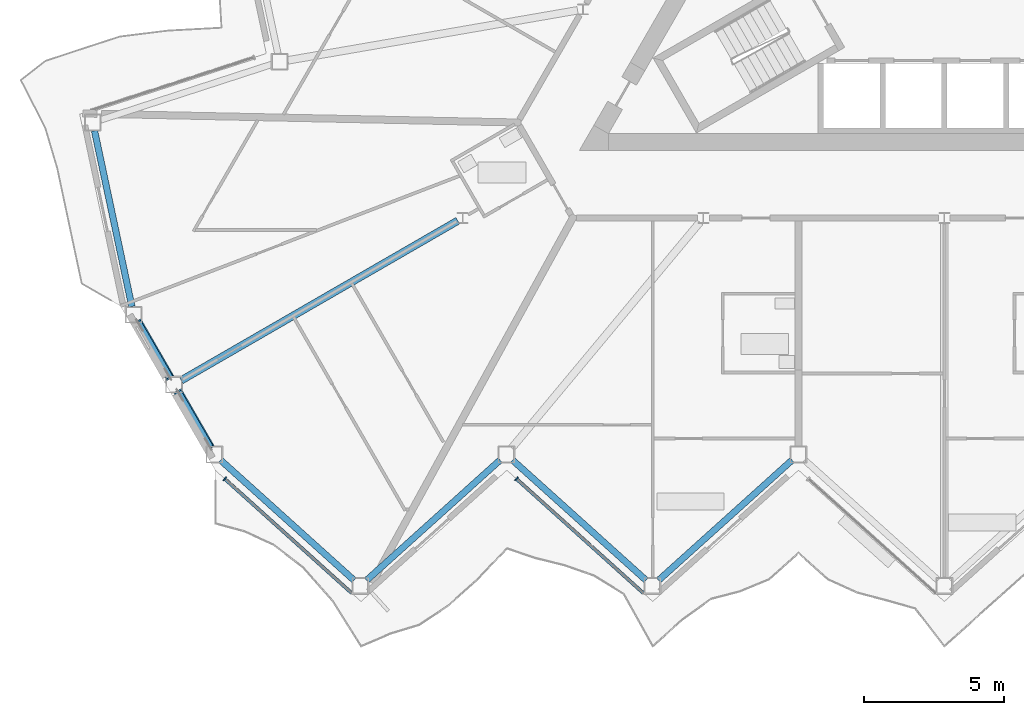
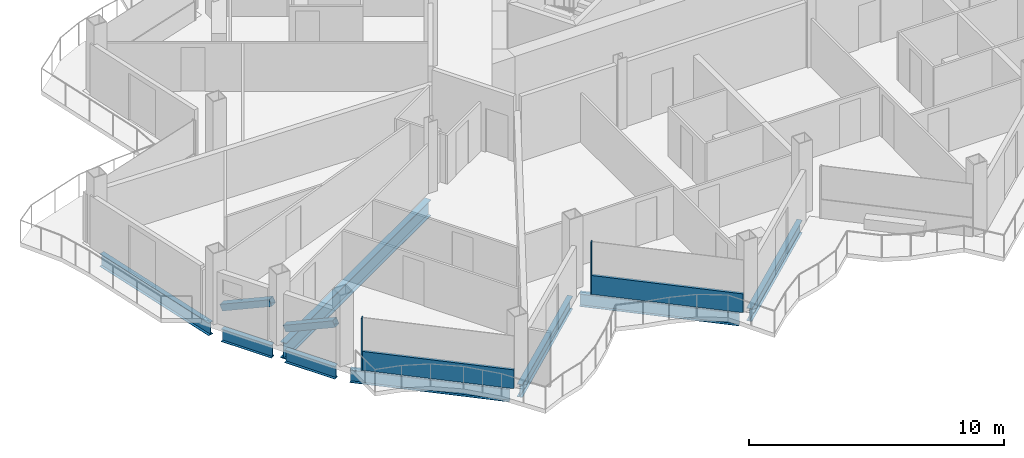
# One storey, part 4 of 27: 8 beams, 6 members, 2 elements without a shape of their own.
"""IFC4 building model written with IfcOpenShell, lengths in metres."""

import ifcopenshell
import ifcopenshell.guid

model = None  # the IFC model being written
_history = None  # IfcOwnerHistory: only IFC2X3 demands one
_inside = {}  # id of a spatial element -> (the spatial element, [elements in it])
_under = {}  # id of a project, library or spatial element -> (it, [spatial elements below it])
_declared = {}  # id of a project -> (the project, [libraries it declares])
_typed = {}  # id of a type object -> (the type object, [elements of that type])
_made_of = {}  # id of a material, layer set ... -> (it, [elements and type objects made of it])


def new_model(schema):
    """Start an empty IFC model of exactly this schema.

    Asked for "IFC4X3", IfcOpenShell would pick the latest addendum, in which some entities
    have other attributes; the version numbers below select the first issue.
    IFC2X3 requires an IfcOwnerHistory on every rooted entity: one is made here for all.
    """
    global model, _history
    if schema == "IFC4X3":
        model = ifcopenshell.file(schema_version=(4, 3, 0, 0))
    else:
        model = ifcopenshell.file(schema=schema)
    _inside.clear()
    _under.clear()
    _declared.clear()
    _typed.clear()
    _made_of.clear()
    _history = None
    if model.schema == "IFC2X3":
        org = make("IfcOrganization", Name="unknown")
        user = make(
            "IfcPersonAndOrganization",
            ThePerson=make("IfcPerson", FamilyName="unknown"),
            TheOrganization=org,
        )
        app = make(
            "IfcApplication",
            ApplicationDeveloper=org,
            Version="unknown",
            ApplicationFullName="unknown",
            ApplicationIdentifier="unknown",
        )
        _history = make(
            "IfcOwnerHistory",
            OwningUser=user,
            OwningApplication=app,
            ChangeAction="ADDED",
            CreationDate=0,
        )
    return model


def make(cls, **values):
    """One entity of the class cls with the attributes given. An attribute that is None is left unset."""
    return model.create_entity(
        cls, **{name: value for name, value in values.items() if value is not None}
    )


def rooted(cls, **values):
    """An entity with a GlobalId (a new one), such as an element, a storey or a relation."""
    return make(cls, GlobalId=ifcopenshell.guid.new(), OwnerHistory=_history, **values)


def si_unit(unit_type, name, prefix=None):
    """IfcSIUnit, for example si_unit("LENGTHUNIT", "METRE", prefix="MILLI")."""
    return make("IfcSIUnit", UnitType=unit_type, Prefix=prefix, Name=name)


def assignment(units):
    """IfcUnitAssignment: the units of a project."""
    return None if units is None else make("IfcUnitAssignment", Units=units)


def point(xyz):
    """IfcCartesianPoint."""
    return None if xyz is None else make("IfcCartesianPoint", Coordinates=xyz)


def direction(xyz):
    """IfcDirection."""
    return None if xyz is None else make("IfcDirection", DirectionRatios=xyz)


def frame(location, z_axis=None, x_axis=None):
    """IfcAxis2Placement3D, a coordinate frame: its origin and axes. An axis left out is left unset."""
    return make(
        "IfcAxis2Placement3D",
        Location=point(location),
        Axis=direction(z_axis),
        RefDirection=direction(x_axis),
    )


def frame_2d(location, x_axis=None):
    """IfcAxis2Placement2D, a coordinate frame in the plane: its origin and x axis."""
    return make(
        "IfcAxis2Placement2D", Location=point(location), RefDirection=direction(x_axis)
    )


def origin():
    """The frame at (0, 0, 0) with its axes left unset."""
    return frame((0.0, 0.0, 0.0))


def origin_2d():
    """The frame at (0, 0) in the plane with its x axis left unset."""
    return frame_2d((0.0, 0.0))


def place(relative_to, where):
    """IfcLocalPlacement: puts the frame where relative to a parent placement (None: the world)."""
    return make(
        "IfcLocalPlacement", PlacementRelTo=relative_to, RelativePlacement=where
    )


def context(
    kind, dimensions, precision=None, world=None, true_north=None, identifier=None
):
    """IfcGeometricRepresentationContext, for example the 3D "Model" context."""
    return make(
        "IfcGeometricRepresentationContext",
        ContextIdentifier=identifier,
        ContextType=kind,
        CoordinateSpaceDimension=dimensions,
        Precision=precision,
        WorldCoordinateSystem=world,
        TrueNorth=true_north,
    )


def subcontext(parent, identifier, kind, view, scale=None):
    """IfcGeometricRepresentationSubContext, for example "Body" below "Model"."""
    return make(
        "IfcGeometricRepresentationSubContext",
        ContextIdentifier=identifier,
        ContextType=kind,
        ParentContext=parent,
        TargetScale=scale,
        TargetView=view,
    )


def project(units=None, contexts=None):
    """IfcProject with its units and contexts."""
    return rooted(
        "IfcProject",
        Name="project",
        RepresentationContexts=contexts,
        UnitsInContext=assignment(units),
    )


def spatial(cls, under=None, at=None, **own):
    """A site, building, storey or space (cls), placed at a placement, below another one or the project."""
    s = rooted(cls, ObjectPlacement=at, **own)
    if under is not None:
        _under.setdefault(under.id(), (under, []))[1].append(s)
    return s


def profile(cls, at=None, kind="AREA", **sizes):
    """A parametric profile (cls). Its sizes go by their IFC names, for example OverallWidth=200.0."""
    return make(cls, ProfileType=kind, Position=at, **sizes)


def rectangle(**sizes):
    """IfcRectangleProfileDef."""
    return profile("IfcRectangleProfileDef", **sizes)


def hollow_rectangle(**sizes):
    """IfcRectangleHollowProfileDef."""
    return profile("IfcRectangleHollowProfileDef", **sizes)


def i_section(**sizes):
    """IfcIShapeProfileDef."""
    return profile("IfcIShapeProfileDef", **sizes)


def extrude(swept, where, along, depth):
    """IfcExtrudedAreaSolid: the profile swept, set in the frame where, extruded along a direction by depth."""
    return make(
        "IfcExtrudedAreaSolid",
        SweptArea=swept,
        Position=where,
        ExtrudedDirection=direction(along),
        Depth=depth,
    )


def shape(context_of_items, identifier, shape_type, items):
    """IfcShapeRepresentation: the items that make up one representation, for example the "Body"."""
    return make(
        "IfcShapeRepresentation",
        ContextOfItems=context_of_items,
        RepresentationIdentifier=identifier,
        RepresentationType=shape_type,
        Items=items,
    )


def material(Name=None, Category=None):
    """IfcMaterial."""
    return make("IfcMaterial", Name=Name, Category=Category)


def layer(
    of_material, thickness, ventilated=None, Name=None, Category=None, Priority=None
):
    """IfcMaterialLayer: one layer of a wall or slab, of a material (None: an air gap)."""
    return make(
        "IfcMaterialLayer",
        Material=of_material,
        LayerThickness=thickness,
        IsVentilated=ventilated,
        Name=Name,
        Category=Category,
        Priority=Priority,
    )


def layer_set(layers, Name=None):
    """IfcMaterialLayerSet."""
    return make("IfcMaterialLayerSet", MaterialLayers=layers, LayerSetName=Name)


def material_profile(
    of_material, cross_section, Name=None, Category=None, Priority=None
):
    """IfcMaterialProfile: a cross section and its material."""
    return make(
        "IfcMaterialProfile",
        Name=Name,
        Material=of_material,
        Profile=cross_section,
        Priority=Priority,
        Category=Category,
    )


def profile_set(profiles, Name=None, composite=None):
    """IfcMaterialProfileSet."""
    return make(
        "IfcMaterialProfileSet",
        Name=Name,
        MaterialProfiles=profiles,
        CompositeProfile=composite,
    )


def made_of(thing, what):
    """Note that an element or type object is made of a material, layer set ...; save() writes the relation."""
    if what is not None:
        _made_of.setdefault(what.id(), (what, []))[1].append(thing)
    return thing


def type_object(cls, material=None, **own):
    """A type object (cls), such as IfcWallType, which elements share."""
    return made_of(rooted(cls, **own), material)


def element(
    cls,
    number,
    at=None,
    inside=None,
    cuts=None,
    type_object=None,
    material=None,
    context=None,
    identifier="Body",
    shape_type=None,
    held_by="IfcProductDefinitionShape",
    body=None,
    shapes=None,
    **own,
):
    """One element of the class cls, such as IfcWall. Its Tag is "e" and its number.

    at: its placement. inside: the storey or other place that contains it. cuts: it is an
    opening in that element (IfcRelVoidsElement). A single representation is given by context,
    identifier, shape_type and body (its items); several are given by shapes. held_by: the class
    of the entity that holds the representations. save() writes the other relations.
    """
    e = rooted(cls, Tag="e%d" % number, ObjectPlacement=at, **own)
    if body is not None:
        shapes = [shape(context, identifier, shape_type, body)]
    if shapes is not None:
        e.Representation = make(held_by, Representations=shapes)
    if inside is not None:
        _inside.setdefault(inside.id(), (inside, []))[1].append(e)
    if cuts is not None:
        rooted(
            "IfcRelVoidsElement", RelatingBuildingElement=cuts, RelatedOpeningElement=e
        )
    if type_object is not None:
        _typed.setdefault(type_object.id(), (type_object, []))[1].append(e)
    return made_of(e, material)


def aggregate(whole, parts):
    """IfcRelAggregates: a whole, such as a stair, and the parts it consists of."""
    return rooted("IfcRelAggregates", RelatingObject=whole, RelatedObjects=parts)


def save(model, path):
    """Write the relations noted so far, then the file.

    IfcRelAggregates (storeys below a building ...), IfcRelContainedInSpatialStructure (elements
    in a storey), IfcRelDefinesByType, IfcRelAssociatesMaterial and IfcRelDeclares: one each for
    every whole, place, type object, material and project.
    """
    for whole, parts in _under.values():
        aggregate(whole, parts)
    for where, things in _inside.values():
        rooted(
            "IfcRelContainedInSpatialStructure",
            RelatedElements=things,
            RelatingStructure=where,
        )
    for kind, things in _typed.values():
        rooted("IfcRelDefinesByType", RelatedObjects=things, RelatingType=kind)
    for what, things in _made_of.values():
        rooted("IfcRelAssociatesMaterial", RelatedObjects=things, RelatingMaterial=what)
    for by, libraries in _declared.values():
        rooted("IfcRelDeclares", RelatingContext=by, RelatedDefinitions=libraries)
    model.write(path)


model = new_model("IFC4")

# Units and contexts
model_context = context("Model", 3, precision=1e-05, world=origin(), true_north=direction((0.0, 1.0)))
body_context = subcontext(model_context, "Body", "Model", "MODEL_VIEW")
ifc_project = project(units=[si_unit("LENGTHUNIT", "METRE"), si_unit("AREAUNIT", "SQUARE_METRE"), si_unit("VOLUMEUNIT", "CUBIC_METRE"), si_unit("PLANEANGLEUNIT", "RADIAN"), si_unit("MASSUNIT", "GRAM", prefix="KILO")], contexts=[model_context])

# Site, building, storey
site_placement = place(None, origin())
site = spatial("IfcSite", under=ifc_project, at=site_placement, CompositionType="ELEMENT")
building_placement = place(site_placement, origin())
building = spatial("IfcBuilding", under=site, at=building_placement, Name="Cormorant Prow Tower", CompositionType="ELEMENT")
storey_placement = place(building_placement, frame((0.0, 0.0, 315.39990234375)))
storey = spatial("IfcBuildingStorey", under=building, at=storey_placement, Name="L69", CompositionType="ELEMENT", Elevation=315.39990234375)

# Members
ifc_material_1 = material(Name="Structural steel ASTM A500 Gr C", Category="steel")
ifc_material_profile_1 = material_profile(ifc_material_1, hollow_rectangle(XDim=0.3046875, YDim=0.3046875, WallThickness=0.01171875, at=origin_2d()), Name="HSS12x12x1/2")
ifc_profile_set_1 = profile_set([ifc_material_profile_1], Name="Structural steel ASTM A500 Gr C")
member_type_1 = type_object("IfcMemberType", Name="Chamfer brace HSS12x12x1/2", PredefinedType="BRACE", material=ifc_profile_set_1)
for number, where, z_axis, x_axis, name in (
    (1, (-28.711669921875, -13.621826171875, 0.7412109375), (0.456265706889, -0.790324476185, 0.408911759503), (0.866038851724, 0.499976706761, 0.0), "Chamfer brace BR3 at WSW00 L69"),
    (2, (-27.27490234375, -16.110595703125, 0.7412109375), (0.456265706889, -0.790324476185, 0.408911759503), (0.866038851724, 0.499976706761, 0.0), "Chamfer brace BR3 at WSW01 L69"),
):
    element("IfcMember", number, at=place(storey_placement, frame(where, z_axis=z_axis, x_axis=x_axis)), inside=storey, type_object=member_type_1, Name=name, PredefinedType="BRACE", context=body_context, shape_type="SweptSolid", body=[
        extrude(hollow_rectangle(XDim=0.3046875, YDim=0.3046875, WallThickness=0.01171875, at=origin_2d()), origin(), (0.0, 0.0, 1.0), 2.459228515625),
    ])

# Beam
ifc_material_2 = material(Name="Structural steel ASTM A992 Gr 50", Category="steel")
ifc_material_profile_2 = material_profile(ifc_material_2, i_section(OverallWidth=0.267822265625, OverallDepth=0.77001953125, WebThickness=0.015625, FlangeThickness=0.025390625, at=origin_2d()), Name="W30x132")
ifc_profile_set_2 = profile_set([ifc_material_profile_2], Name="Structural steel ASTM A992 Gr 50")
beam_type_1 = type_object("IfcBeamType", Name="Radial floor beam W30x132", PredefinedType="BEAM", material=ifc_profile_set_2)
beam_1_placement = place(storey_placement, frame((-17.328125, -10.00439453125, -0.684814453125), z_axis=(-0.866024637028, -0.500001328059, 0.0), x_axis=(0.500001328059, -0.866024637028, 0.0)))
element("IfcBeam", 3, at=beam_1_placement, inside=storey, type_object=beam_type_1, Name="Radial floor beam FB3 5 L69", PredefinedType="BEAM", context=body_context, shape_type="SweptSolid", body=[
    extrude(i_section(OverallWidth=0.267822265625, OverallDepth=0.77001953125, WebThickness=0.015625, FlangeThickness=0.025390625, at=origin_2d()), origin(), (0.0, 0.0, 1.0), 11.3671875),
])

# Curtain wall, member
ifc_material_3 = material(Name="Aluminium 6063-T6", Category="aluminium")
ifc_layer = layer(ifc_material_3, 0.159912109375)
ifc_layer_set = layer_set([ifc_layer], Name="Aluminium 6063-T6")
curtain_wall_type = type_object("IfcCurtainWallType", Name="Residential unitised curtain wall 160", PredefinedType="NOTDEFINED", material=ifc_layer_set)
curtain_wall_1_placement = place(storey_placement, origin())
curtain_wall_1 = element("IfcCurtainWall", 4, at=curtain_wall_1_placement, inside=storey, type_object=curtain_wall_type, Name="Residential curtain wall S00", PredefinedType="NOTDEFINED")
ifc_material_4 = material(Name="Aluminium 6063-T6", Category="aluminium")
ifc_material_profile_3 = material_profile(ifc_material_4, rectangle(XDim=0.159912109375, YDim=0.050048828125, at=origin_2d()), Name="Residential mullion 50x160")
ifc_profile_set_3 = profile_set([ifc_material_profile_3], Name="Aluminium 6063-T6")
member_type_2 = type_object("IfcMemberType", Name="Residential mullion 50x160", PredefinedType="MULLION", material=ifc_profile_set_3)
member_1_placement = place(storey_placement, frame((-25.623046875, -19.193603515625, 0.0), z_axis=(0.0, 0.0, 1.0), x_axis=(0.669130619757, 0.743144813413, 0.0)))
member_1 = element("IfcMember", 5, at=member_1_placement, type_object=member_type_2, Name="Residential mullion S00", PredefinedType="MULLION", context=body_context, shape_type="SweptSolid", body=[
    extrude(rectangle(XDim=0.159912109375, YDim=0.050048828125, at=origin_2d()), origin(), (0.0, 0.0, 1.0), 2.488037109375),
])

curtain_wall_2_placement = place(storey_placement, origin())
curtain_wall_2 = element("IfcCurtainWall", 6, at=curtain_wall_2_placement, inside=storey, type_object=curtain_wall_type, Name="Residential curtain wall S02", PredefinedType="NOTDEFINED")
member_2_placement = place(storey_placement, frame((-15.2373046875, -19.193603515625, 0.0), z_axis=(0.0, 0.0, 1.0), x_axis=(0.669130619757, 0.743144813413, 0.0)))
member_2 = element("IfcMember", 7, at=member_2_placement, type_object=member_type_2, Name="Residential mullion S02", PredefinedType="MULLION", context=body_context, shape_type="SweptSolid", body=[
    extrude(rectangle(XDim=0.159912109375, YDim=0.050048828125, at=origin_2d()), origin(), (0.0, 0.0, 1.0), 2.488037109375),
])

# Member
ifc_material_5 = material(Name="Terracotta", Category="masonry")
ifc_material_profile_4 = material_profile(ifc_material_5, rectangle(XDim=0.1201171875, YDim=0.89990234375, at=origin_2d()), Name="Residential terracotta spandrel rail 120x900")
ifc_profile_set_4 = profile_set([ifc_material_profile_4], Name="Terracotta")
member_type_3 = type_object("IfcMemberType", Name="Residential terracotta spandrel rail 120x900", PredefinedType="USERDEFINED", material=ifc_profile_set_4)
member_3_placement = place(storey_placement, frame((-25.6044921875, -19.21044921875, 0.4501953125), z_axis=(0.743162128872, -0.669111388492, 0.0), x_axis=(0.669111388492, 0.743162128872, 0.0)))
member_3 = element("IfcMember", 8, at=member_3_placement, type_object=member_type_3, Name="Residential spandrel rail S00", ObjectType="TRANSOM", PredefinedType="USERDEFINED", context=body_context, shape_type="SweptSolid", body=[
    extrude(rectangle(XDim=0.1201171875, YDim=0.89990234375, at=origin_2d()), origin(), (0.0, 0.0, 1.0), 6.069580078125),
])

aggregate(curtain_wall_1, [member_1, member_3])

member_4_placement = place(storey_placement, frame((-15.21875, -19.21044921875, 0.4501953125), z_axis=(0.743144119775, -0.66913139012, 0.0), x_axis=(0.66913139012, 0.743144119775, 0.0)))
member_4 = element("IfcMember", 9, at=member_4_placement, type_object=member_type_3, Name="Residential spandrel rail S02", ObjectType="TRANSOM", PredefinedType="USERDEFINED", context=body_context, shape_type="SweptSolid", body=[
    extrude(rectangle(XDim=0.1201171875, YDim=0.89990234375, at=origin_2d()), origin(), (0.0, 0.0, 1.0), 6.069580078125),
])

aggregate(curtain_wall_2, [member_2, member_4])

# Beams
ifc_material_6 = material(Name="Structural steel ASTM A992 Gr 50", Category="steel")
ifc_material_profile_5 = material_profile(ifc_material_6, i_section(OverallWidth=0.22900390625, OverallDepth=0.612060546875, WebThickness=0.011962890625, FlangeThickness=0.01953125, at=origin_2d()), Name="W24x84")
ifc_profile_set_5 = profile_set([ifc_material_profile_5], Name="Structural steel ASTM A992 Gr 50")
beam_type_2 = type_object("IfcBeamType", Name="Spandrel beam W24x84", PredefinedType="SPANDREL", material=ifc_profile_set_5)
beam_2_placement = place(storey_placement, frame((-25.7724609375, -18.527587890625, -0.60595703125), z_axis=(0.743144186555, -0.669131315954, 0.0), x_axis=(0.669131315954, 0.743144186555, 0.0)))
element("IfcBeam", 10, at=beam_2_placement, inside=storey, type_object=beam_type_2, Name="Spandrel beam SB3 S00-S01 L69", PredefinedType="SPANDREL", context=body_context, shape_type="SweptSolid", body=[
    extrude(i_section(OverallWidth=0.22900390625, OverallDepth=0.612060546875, WebThickness=0.011962890625, FlangeThickness=0.01953125, at=origin_2d()), origin(), (0.0, 0.0, 1.0), 6.39599609375),
])
beam_3_placement = place(storey_placement, frame((-20.573486328125, -22.807373046875, -0.60595703125), z_axis=(0.743161276225, 0.669112335502, 0.0), x_axis=(-0.669112335502, 0.743161276225, 0.0)))
element("IfcBeam", 11, at=beam_3_placement, inside=storey, type_object=beam_type_2, Name="Spandrel beam SB3 S01-S02 L69", PredefinedType="SPANDREL", context=body_context, shape_type="SweptSolid", body=[
    extrude(i_section(OverallWidth=0.22900390625, OverallDepth=0.612060546875, WebThickness=0.011962890625, FlangeThickness=0.01953125, at=origin_2d()), origin(), (0.0, 0.0, 1.0), 6.396240234375),
])
for number, where, z_axis, x_axis, name in (
    (12, (-15.374267578125, -18.527587890625, -0.60595703125), (0.743144186555, -0.669131315954, 0.0), (0.669131315954, 0.743144186555, 0.0), "Spandrel beam SB3 S02-S03 L69"),
    (13, (-10.17529296875, -22.807373046875, -0.60595703125), (0.743144186555, 0.669131315954, 0.0), (-0.669131315954, 0.743144186555, 0.0), "Spandrel beam SB3 S03-S04 L69"),
):
    element("IfcBeam", number, at=place(storey_placement, frame(where, z_axis=z_axis, x_axis=x_axis)), inside=storey, type_object=beam_type_2, Name=name, PredefinedType="SPANDREL", context=body_context, shape_type="SweptSolid", body=[
        extrude(i_section(OverallWidth=0.22900390625, OverallDepth=0.612060546875, WebThickness=0.011962890625, FlangeThickness=0.01953125, at=origin_2d()), origin(), (0.0, 0.0, 1.0), 6.39599609375),
    ])
beam_4_placement = place(storey_placement, frame((-30.261474609375, -6.799560546875, -0.60595703125), z_axis=(0.20791262393, -0.978147402394, 0.0), x_axis=(0.978147402394, 0.20791262393, 0.0)))
element("IfcBeam", 14, at=beam_4_placement, inside=storey, type_object=beam_type_2, Name="Spandrel beam SB3 WNW09-WSW00 L69", PredefinedType="SPANDREL", context=body_context, shape_type="SweptSolid", body=[
    extrude(i_section(OverallWidth=0.22900390625, OverallDepth=0.612060546875, WebThickness=0.011962890625, FlangeThickness=0.01953125, at=origin_2d()), origin(), (0.0, 0.0, 1.0), 6.396240234375),
])
beam_5_placement = place(storey_placement, frame((-28.71923828125, -13.609130859375, -0.60595703125), z_axis=(0.500053962254, -0.865994246421, 0.0), x_axis=(0.865994246421, 0.500053962254, 0.0)))
element("IfcBeam", 15, at=beam_5_placement, inside=storey, type_object=beam_type_2, Name="Spandrel beam SB3 WSW00-WSW01 L69", PredefinedType="SPANDREL", context=body_context, shape_type="SweptSolid", body=[
    extrude(i_section(OverallWidth=0.22900390625, OverallDepth=0.612060546875, WebThickness=0.011962890625, FlangeThickness=0.01953125, at=origin_2d()), origin(), (0.0, 0.0, 1.0), 2.273681640625),
])
beam_6_placement = place(storey_placement, frame((-27.2822265625, -16.097900390625, -0.60595703125), z_axis=(0.49997342893, -0.866040744055, 0.0), x_axis=(0.866040744055, 0.49997342893, 0.0)))
element("IfcBeam", 16, at=beam_6_placement, inside=storey, type_object=beam_type_2, Name="Spandrel beam SB3 WSW01-S00 L69", PredefinedType="SPANDREL", context=body_context, shape_type="SweptSolid", body=[
    extrude(i_section(OverallWidth=0.22900390625, OverallDepth=0.612060546875, WebThickness=0.011962890625, FlangeThickness=0.01953125, at=origin_2d()), origin(), (0.0, 0.0, 1.0), 2.2734375),
])

save(model, "model.ifc")
